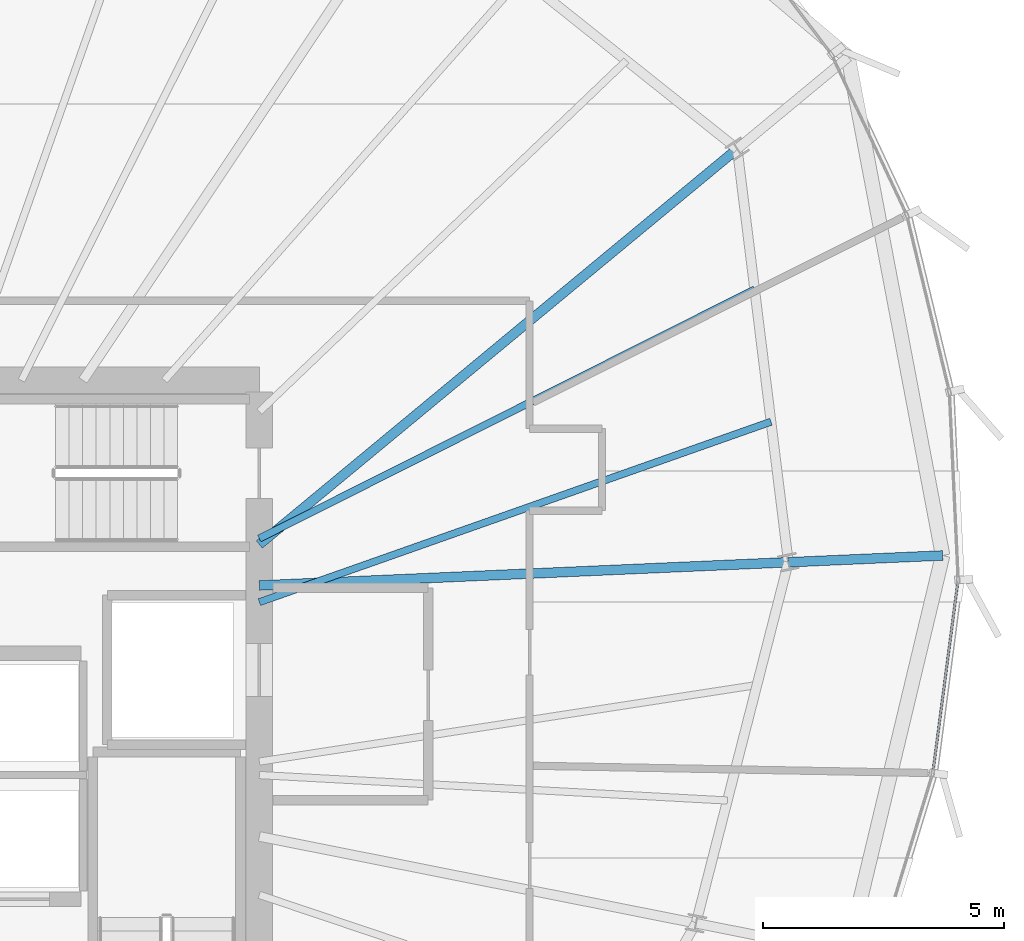
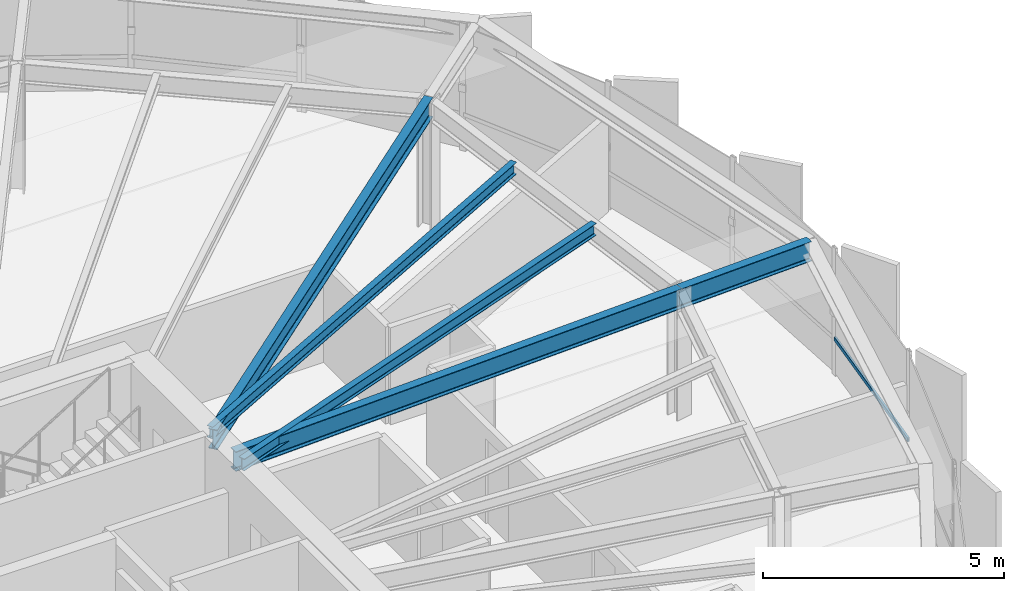
# One storey, part 16 of 34: 5 beams, 1 member, 1 element without a shape of its own.
"""IFC4 building model written with IfcOpenShell, lengths in metres."""

import ifcopenshell
import ifcopenshell.guid

model = None  # the IFC model being written
_history = None  # IfcOwnerHistory: only IFC2X3 demands one
_inside = {}  # id of a spatial element -> (the spatial element, [elements in it])
_under = {}  # id of a project, library or spatial element -> (it, [spatial elements below it])
_declared = {}  # id of a project -> (the project, [libraries it declares])
_typed = {}  # id of a type object -> (the type object, [elements of that type])
_made_of = {}  # id of a material, layer set ... -> (it, [elements and type objects made of it])


def new_model(schema):
    """Start an empty IFC model of exactly this schema.

    Asked for "IFC4X3", IfcOpenShell would pick the latest addendum, in which some entities
    have other attributes; the version numbers below select the first issue.
    IFC2X3 requires an IfcOwnerHistory on every rooted entity: one is made here for all.
    """
    global model, _history
    if schema == "IFC4X3":
        model = ifcopenshell.file(schema_version=(4, 3, 0, 0))
    else:
        model = ifcopenshell.file(schema=schema)
    _inside.clear()
    _under.clear()
    _declared.clear()
    _typed.clear()
    _made_of.clear()
    _history = None
    if model.schema == "IFC2X3":
        org = make("IfcOrganization", Name="unknown")
        user = make(
            "IfcPersonAndOrganization",
            ThePerson=make("IfcPerson", FamilyName="unknown"),
            TheOrganization=org,
        )
        app = make(
            "IfcApplication",
            ApplicationDeveloper=org,
            Version="unknown",
            ApplicationFullName="unknown",
            ApplicationIdentifier="unknown",
        )
        _history = make(
            "IfcOwnerHistory",
            OwningUser=user,
            OwningApplication=app,
            ChangeAction="ADDED",
            CreationDate=0,
        )
    return model


def make(cls, **values):
    """One entity of the class cls with the attributes given. An attribute that is None is left unset."""
    return model.create_entity(
        cls, **{name: value for name, value in values.items() if value is not None}
    )


def rooted(cls, **values):
    """An entity with a GlobalId (a new one), such as an element, a storey or a relation."""
    return make(cls, GlobalId=ifcopenshell.guid.new(), OwnerHistory=_history, **values)


def si_unit(unit_type, name, prefix=None):
    """IfcSIUnit, for example si_unit("LENGTHUNIT", "METRE", prefix="MILLI")."""
    return make("IfcSIUnit", UnitType=unit_type, Prefix=prefix, Name=name)


def assignment(units):
    """IfcUnitAssignment: the units of a project."""
    return None if units is None else make("IfcUnitAssignment", Units=units)


def point(xyz):
    """IfcCartesianPoint."""
    return None if xyz is None else make("IfcCartesianPoint", Coordinates=xyz)


def direction(xyz):
    """IfcDirection."""
    return None if xyz is None else make("IfcDirection", DirectionRatios=xyz)


def frame(location, z_axis=None, x_axis=None):
    """IfcAxis2Placement3D, a coordinate frame: its origin and axes. An axis left out is left unset."""
    return make(
        "IfcAxis2Placement3D",
        Location=point(location),
        Axis=direction(z_axis),
        RefDirection=direction(x_axis),
    )


def frame_2d(location, x_axis=None):
    """IfcAxis2Placement2D, a coordinate frame in the plane: its origin and x axis."""
    return make(
        "IfcAxis2Placement2D", Location=point(location), RefDirection=direction(x_axis)
    )


def origin():
    """The frame at (0, 0, 0) with its axes left unset."""
    return frame((0.0, 0.0, 0.0))


def origin_2d():
    """The frame at (0, 0) in the plane with its x axis left unset."""
    return frame_2d((0.0, 0.0))


def place(relative_to, where):
    """IfcLocalPlacement: puts the frame where relative to a parent placement (None: the world)."""
    return make(
        "IfcLocalPlacement", PlacementRelTo=relative_to, RelativePlacement=where
    )


def context(
    kind, dimensions, precision=None, world=None, true_north=None, identifier=None
):
    """IfcGeometricRepresentationContext, for example the 3D "Model" context."""
    return make(
        "IfcGeometricRepresentationContext",
        ContextIdentifier=identifier,
        ContextType=kind,
        CoordinateSpaceDimension=dimensions,
        Precision=precision,
        WorldCoordinateSystem=world,
        TrueNorth=true_north,
    )


def subcontext(parent, identifier, kind, view, scale=None):
    """IfcGeometricRepresentationSubContext, for example "Body" below "Model"."""
    return make(
        "IfcGeometricRepresentationSubContext",
        ContextIdentifier=identifier,
        ContextType=kind,
        ParentContext=parent,
        TargetScale=scale,
        TargetView=view,
    )


def project(units=None, contexts=None):
    """IfcProject with its units and contexts."""
    return rooted(
        "IfcProject",
        Name="project",
        RepresentationContexts=contexts,
        UnitsInContext=assignment(units),
    )


def spatial(cls, under=None, at=None, **own):
    """A site, building, storey or space (cls), placed at a placement, below another one or the project."""
    s = rooted(cls, ObjectPlacement=at, **own)
    if under is not None:
        _under.setdefault(under.id(), (under, []))[1].append(s)
    return s


def profile(cls, at=None, kind="AREA", **sizes):
    """A parametric profile (cls). Its sizes go by their IFC names, for example OverallWidth=200.0."""
    return make(cls, ProfileType=kind, Position=at, **sizes)


def hollow_rectangle(**sizes):
    """IfcRectangleHollowProfileDef."""
    return profile("IfcRectangleHollowProfileDef", **sizes)


def i_section(**sizes):
    """IfcIShapeProfileDef."""
    return profile("IfcIShapeProfileDef", **sizes)


def extrude(swept, where, along, depth):
    """IfcExtrudedAreaSolid: the profile swept, set in the frame where, extruded along a direction by depth."""
    return make(
        "IfcExtrudedAreaSolid",
        SweptArea=swept,
        Position=where,
        ExtrudedDirection=direction(along),
        Depth=depth,
    )


def shape(context_of_items, identifier, shape_type, items):
    """IfcShapeRepresentation: the items that make up one representation, for example the "Body"."""
    return make(
        "IfcShapeRepresentation",
        ContextOfItems=context_of_items,
        RepresentationIdentifier=identifier,
        RepresentationType=shape_type,
        Items=items,
    )


def source(mapping_origin, context_of_items, identifier, shape_type, items):
    """IfcRepresentationMap: a shape defined once, which mapped items show again and again."""
    return make(
        "IfcRepresentationMap",
        MappingOrigin=mapping_origin,
        MappedRepresentation=shape(context_of_items, identifier, shape_type, items),
    )


def transform(
    local_origin,
    x_axis=None,
    y_axis=None,
    z_axis=None,
    scale=None,
    scale2=None,
    scale3=None,
    uniform=True,
):
    """IfcCartesianTransformationOperator3D, or its non-uniform kind. x_axis, y_axis, z_axis: its Axis1, 2, 3."""
    if uniform:
        return make(
            "IfcCartesianTransformationOperator3D",
            Axis1=direction(x_axis),
            Axis2=direction(y_axis),
            LocalOrigin=point(local_origin),
            Scale=scale,
            Axis3=direction(z_axis),
        )
    return make(
        "IfcCartesianTransformationOperator3DnonUniform",
        Axis1=direction(x_axis),
        Axis2=direction(y_axis),
        LocalOrigin=point(local_origin),
        Scale=scale,
        Axis3=direction(z_axis),
        Scale2=scale2,
        Scale3=scale3,
    )


def mapped(mapping_source, mapping_target):
    """IfcMappedItem: shows the shape of a source again, moved by a transform."""
    return make(
        "IfcMappedItem", MappingSource=mapping_source, MappingTarget=mapping_target
    )


def material(Name=None, Category=None):
    """IfcMaterial."""
    return make("IfcMaterial", Name=Name, Category=Category)


def layer(
    of_material, thickness, ventilated=None, Name=None, Category=None, Priority=None
):
    """IfcMaterialLayer: one layer of a wall or slab, of a material (None: an air gap)."""
    return make(
        "IfcMaterialLayer",
        Material=of_material,
        LayerThickness=thickness,
        IsVentilated=ventilated,
        Name=Name,
        Category=Category,
        Priority=Priority,
    )


def layer_set(layers, Name=None):
    """IfcMaterialLayerSet."""
    return make("IfcMaterialLayerSet", MaterialLayers=layers, LayerSetName=Name)


def material_profile(
    of_material, cross_section, Name=None, Category=None, Priority=None
):
    """IfcMaterialProfile: a cross section and its material."""
    return make(
        "IfcMaterialProfile",
        Name=Name,
        Material=of_material,
        Profile=cross_section,
        Priority=Priority,
        Category=Category,
    )


def profile_set(profiles, Name=None, composite=None):
    """IfcMaterialProfileSet."""
    return make(
        "IfcMaterialProfileSet",
        Name=Name,
        MaterialProfiles=profiles,
        CompositeProfile=composite,
    )


def made_of(thing, what):
    """Note that an element or type object is made of a material, layer set ...; save() writes the relation."""
    if what is not None:
        _made_of.setdefault(what.id(), (what, []))[1].append(thing)
    return thing


def type_object(cls, material=None, **own):
    """A type object (cls), such as IfcWallType, which elements share."""
    return made_of(rooted(cls, **own), material)


def element(
    cls,
    number,
    at=None,
    inside=None,
    cuts=None,
    type_object=None,
    material=None,
    context=None,
    identifier="Body",
    shape_type=None,
    held_by="IfcProductDefinitionShape",
    body=None,
    shapes=None,
    **own,
):
    """One element of the class cls, such as IfcWall. Its Tag is "e" and its number.

    at: its placement. inside: the storey or other place that contains it. cuts: it is an
    opening in that element (IfcRelVoidsElement). A single representation is given by context,
    identifier, shape_type and body (its items); several are given by shapes. held_by: the class
    of the entity that holds the representations. save() writes the other relations.
    """
    e = rooted(cls, Tag="e%d" % number, ObjectPlacement=at, **own)
    if body is not None:
        shapes = [shape(context, identifier, shape_type, body)]
    if shapes is not None:
        e.Representation = make(held_by, Representations=shapes)
    if inside is not None:
        _inside.setdefault(inside.id(), (inside, []))[1].append(e)
    if cuts is not None:
        rooted(
            "IfcRelVoidsElement", RelatingBuildingElement=cuts, RelatedOpeningElement=e
        )
    if type_object is not None:
        _typed.setdefault(type_object.id(), (type_object, []))[1].append(e)
    return made_of(e, material)


def aggregate(whole, parts):
    """IfcRelAggregates: a whole, such as a stair, and the parts it consists of."""
    return rooted("IfcRelAggregates", RelatingObject=whole, RelatedObjects=parts)


def save(model, path):
    """Write the relations noted so far, then the file.

    IfcRelAggregates (storeys below a building ...), IfcRelContainedInSpatialStructure (elements
    in a storey), IfcRelDefinesByType, IfcRelAssociatesMaterial and IfcRelDeclares: one each for
    every whole, place, type object, material and project.
    """
    for whole, parts in _under.values():
        aggregate(whole, parts)
    for where, things in _inside.values():
        rooted(
            "IfcRelContainedInSpatialStructure",
            RelatedElements=things,
            RelatingStructure=where,
        )
    for kind, things in _typed.values():
        rooted("IfcRelDefinesByType", RelatedObjects=things, RelatingType=kind)
    for what, things in _made_of.values():
        rooted("IfcRelAssociatesMaterial", RelatedObjects=things, RelatingMaterial=what)
    for by, libraries in _declared.values():
        rooted("IfcRelDeclares", RelatingContext=by, RelatedDefinitions=libraries)
    model.write(path)


model = new_model("IFC4")

# Units and contexts
model_context = context("Model", 3, precision=1e-05, world=origin(), true_north=direction((0.0, 1.0)))
body_context = subcontext(model_context, "Body", "Model", "MODEL_VIEW")
ifc_project = project(units=[si_unit("LENGTHUNIT", "METRE"), si_unit("AREAUNIT", "SQUARE_METRE"), si_unit("VOLUMEUNIT", "CUBIC_METRE"), si_unit("PLANEANGLEUNIT", "RADIAN"), si_unit("MASSUNIT", "GRAM", prefix="KILO"), si_unit("THERMODYNAMICTEMPERATUREUNIT", "KELVIN")], contexts=[model_context])

# Site, building, storey
site_placement = place(None, origin())
site = spatial("IfcSite", under=ifc_project, at=site_placement, CompositionType="ELEMENT")
building_placement = place(site_placement, origin())
building = spatial("IfcBuilding", under=site, at=building_placement, Name="Kethvar Cultural Tower", CompositionType="ELEMENT")
storey_placement = place(building_placement, frame((0.0, 0.0, 207.89990234375)))
storey = spatial("IfcBuildingStorey", under=building, at=storey_placement, Name="L54", CompositionType="ELEMENT", Elevation=207.89990234375)

# Beams
ifc_material_1 = material(Name="Steel S355J2", Category="steel")
ifc_material_profile_1 = material_profile(ifc_material_1, i_section(OverallWidth=0.199951171875, OverallDepth=0.5, WebThickness=0.01025390625, FlangeThickness=0.01611328125, FilletRadius=0.02099609375, at=origin_2d()), Name="Steel S355J2 — IPE500")
ifc_profile_set_1 = profile_set([ifc_material_profile_1], Name="Steel S355J2 — IPE500")
beam_type_1 = type_object("IfcBeamType", Name="BM-IPE500", PredefinedType="BEAM", material=ifc_profile_set_1)
shared_shape_1 = source(origin(), body_context, "Body", "SweptSolid", [
    extrude(i_section(OverallWidth=0.199951171875, OverallDepth=0.5, WebThickness=0.01025390625, FlangeThickness=0.01611328125, FilletRadius=0.02099609375, at=origin_2d()), origin(), (0.0, 0.0, 1.0), 10.974365234375),
])
beam_1_placement = place(storey_placement, frame((55.60009765625, 31.25, 3.008056640625), z_axis=(0.999038235064, 0.043847518511, 0.0), x_axis=(-0.043847518511, 0.999038235064, 0.0)))
element("IfcBeam", 1, at=beam_1_placement, inside=storey, type_object=beam_type_1, Name="L54 Primary Radial Beam RB-01", PredefinedType="BEAM", context=body_context, shape_type="MappedRepresentation", body=[
    mapped(shared_shape_1, transform((0.0, 0.0, 0.0), scale=1.0)),
])
shared_shape_2 = source(origin(), body_context, "Body", "SweptSolid", [
    extrude(i_section(OverallWidth=0.199951171875, OverallDepth=0.5, WebThickness=0.01025390625, FlangeThickness=0.01611328125, FilletRadius=0.02099609375, at=origin_2d()), origin(), (0.0, 0.0, 1.0), 3.2001953125),
])
beam_2_placement = place(storey_placement, frame((66.56396484375, 31.731201171875, 3.008056640625), z_axis=(0.999037352633, 0.043867619531, 0.0), x_axis=(-0.043867619531, 0.999037352633, 0.0)))
element("IfcBeam", 2, at=beam_2_placement, inside=storey, type_object=beam_type_1, Name="L54 Perimeter Cantilever Beam RC-01", PredefinedType="BEAM", context=body_context, shape_type="MappedRepresentation", body=[
    mapped(shared_shape_2, transform((0.0, 0.0, 0.0), scale=1.0)),
])
shared_shape_3 = source(origin(), body_context, "Body", "SweptSolid", [
    extrude(i_section(OverallWidth=0.199951171875, OverallDepth=0.5, WebThickness=0.01025390625, FlangeThickness=0.01611328125, FilletRadius=0.02099609375, at=origin_2d()), origin(), (0.0, 0.0, 1.0), 12.8564453125),
])
beam_3_placement = place(storey_placement, frame((55.60009765625, 32.10009765625, 3.008056640625), z_axis=(0.770354115625, 0.637616292561, 0.0), x_axis=(-0.637616292561, 0.770354115625, 0.0)))
element("IfcBeam", 3, at=beam_3_placement, inside=storey, type_object=beam_type_1, Name="L54 Primary Radial Beam RB-02", PredefinedType="BEAM", context=body_context, shape_type="MappedRepresentation", body=[
    mapped(shared_shape_3, transform((0.0, 0.0, 0.0), scale=1.0)),
])
ifc_material_profile_2 = material_profile(ifc_material_1, i_section(OverallWidth=0.14990234375, OverallDepth=0.300048828125, WebThickness=0.007080078125, FlangeThickness=0.0107421875, FilletRadius=0.014892578125, at=origin_2d()), Name="Steel S355J2 — IPE300")
ifc_profile_set_2 = profile_set([ifc_material_profile_2], Name="Steel S355J2 — IPE300")
beam_type_2 = type_object("IfcBeamType", Name="BM-J300", PredefinedType="JOIST", material=ifc_profile_set_2)
shared_shape_4 = source(origin(), body_context, "Body", "SweptSolid", [
    extrude(i_section(OverallWidth=0.14990234375, OverallDepth=0.300048828125, WebThickness=0.007080078125, FlangeThickness=0.0107421875, FilletRadius=0.014892578125, at=origin_2d()), origin(), (0.0, 0.0, 1.0), 11.24365234375),
])
beam_4_placement = place(storey_placement, frame((55.60009765625, 30.90380859375, 3.108154296875), z_axis=(0.943058059975, 0.332628164044, 0.0), x_axis=(-0.332628164044, 0.943058059975, 0.0)))
element("IfcBeam", 4, at=beam_4_placement, inside=storey, type_object=beam_type_2, Name="L54 Composite Floor Joist J-01A", PredefinedType="JOIST", context=body_context, shape_type="MappedRepresentation", body=[
    mapped(shared_shape_4, transform((0.0, 0.0, 0.0), scale=1.0)),
])
shared_shape_5 = source(origin(), body_context, "Body", "SweptSolid", [
    extrude(i_section(OverallWidth=0.14990234375, OverallDepth=0.300048828125, WebThickness=0.007080078125, FlangeThickness=0.0107421875, FilletRadius=0.014892578125, at=origin_2d()), origin(), (0.0, 0.0, 1.0), 11.48876953125),
])
beam_5_placement = place(storey_placement, frame((55.60009765625, 32.224365234375, 3.108154296875), z_axis=(0.893434724969, 0.449193045605, 0.0), x_axis=(-0.449193045605, 0.893434724969, 0.0)))
element("IfcBeam", 5, at=beam_5_placement, inside=storey, type_object=beam_type_2, Name="L54 Composite Floor Joist J-01B", PredefinedType="JOIST", context=body_context, shape_type="MappedRepresentation", body=[
    mapped(shared_shape_5, transform((0.0, 0.0, 0.0), scale=1.0)),
])

# Curtain wall, member
ifc_material_2 = material(Name="Aluminium 6063-T6", Category="aluminium")
ifc_layer = layer(ifc_material_2, 0.179931640625, Name="Aluminium 6063-T6", Category="aluminium")
ifc_layer_set = layer_set([ifc_layer], Name="Aluminium 6063-T6 (180 mm)")
curtain_wall_type = type_object("IfcCurtainWallType", Name="CW-SYS-04-Z34", PredefinedType="NOTDEFINED", material=ifc_layer_set)
curtain_wall_placement = place(storey_placement, origin())
curtain_wall = element("IfcCurtainWall", 6, at=curtain_wall_placement, inside=storey, type_object=curtain_wall_type, Name="L54 Curtain Wall Run 06", PredefinedType="NOTDEFINED")
ifc_material_profile_3 = material_profile(ifc_material_2, hollow_rectangle(XDim=0.050048828125, YDim=0.10009765625, WallThickness=0.00390625, at=origin_2d()), Name="Aluminium 6063-T6 — RHS100x50x4")
ifc_profile_set_3 = profile_set([ifc_material_profile_3], Name="Aluminium 6063-T6 — RHS100x50x4")
member_type = type_object("IfcMemberType", Name="CW-SYS-04-Z34-TRN", PredefinedType="USERDEFINED", material=ifc_profile_set_3)
shared_shape_6 = source(origin(), body_context, "Body", "SweptSolid", [
    extrude(hollow_rectangle(XDim=0.050048828125, YDim=0.10009765625, WallThickness=0.00390625, at=origin_2d()), origin(), (0.0, 0.0, 1.0), 3.9697265625),
])
member_placement = place(storey_placement, frame((69.562744140625, 27.405029296875, 0.9501953125), z_axis=(0.129762462333, 0.991545109095, 0.0), x_axis=(-0.991545109095, 0.129762462333, 0.0)))
member = element("IfcMember", 7, at=member_placement, type_object=member_type, Name="CW-L54-R06 Transom 2", ObjectType="TRANSOM", PredefinedType="USERDEFINED", context=body_context, shape_type="MappedRepresentation", body=[
    mapped(shared_shape_6, transform((0.0, 0.0, 0.0), scale=1.0)),
])
aggregate(curtain_wall, [member])

save(model, "model.ifc")
